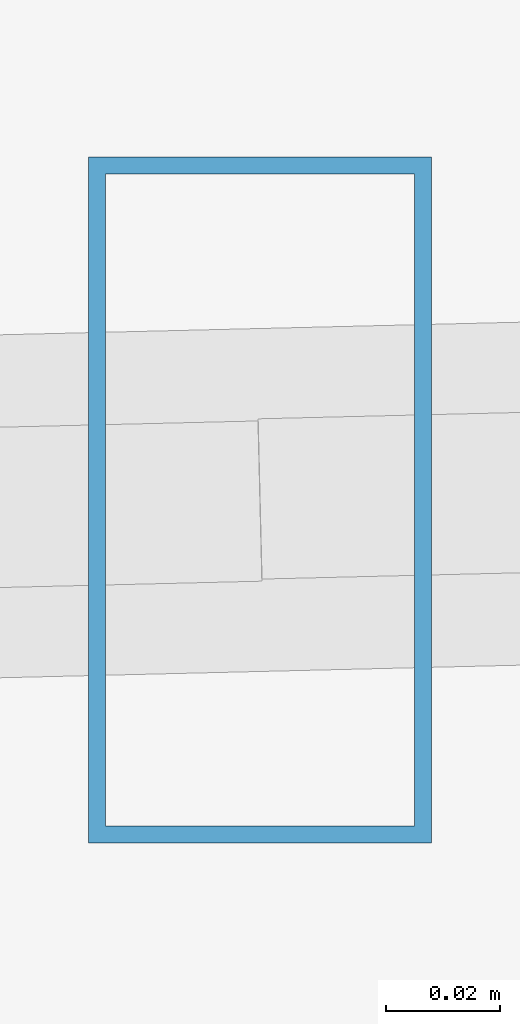
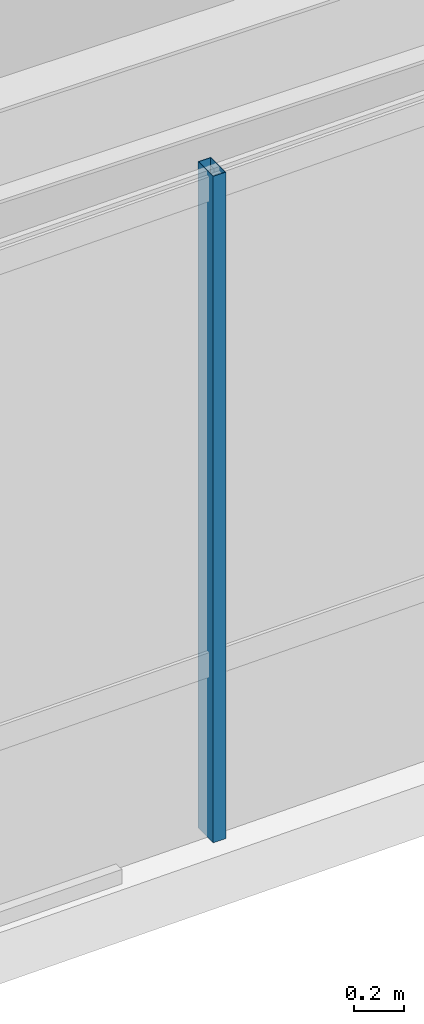
# One storey, part 21 of 44: 1 member, 1 element without a shape of its own.
"""IFC4 building model written with IfcOpenShell, lengths in metres."""

from ifc_helpers import new_model, si_unit, direction, frame, origin, origin_2d, place, context, subcontext, project, spatial, hollow_rectangle, extrude, source, transform, mapped, material, material_profile, profile_set, type_object, type_shapes, element, aggregate, save


model = new_model("IFC4")

# Units and contexts
model_context = context("Model", 3, precision=1e-05, world=origin(), true_north=direction((0.0, 1.0)))
body_context = subcontext(model_context, "Body", "Model", "MODEL_VIEW")
ifc_project = project(units=[si_unit("LENGTHUNIT", "METRE"), si_unit("AREAUNIT", "SQUARE_METRE"), si_unit("VOLUMEUNIT", "CUBIC_METRE"), si_unit("PLANEANGLEUNIT", "RADIAN"), si_unit("MASSUNIT", "GRAM", prefix="KILO")], contexts=[model_context])

# Site, building, storey
site_placement = place(None, origin())
site = spatial("IfcSite", under=ifc_project, at=site_placement, CompositionType="ELEMENT")
building_placement = place(site_placement, origin())
building = spatial("IfcBuilding", under=site, at=building_placement, Name="Caelisora Broadcast Tower", CompositionType="ELEMENT")
storey_placement = place(building_placement, frame((0.0, 0.0, 280.949951171875)))
storey = spatial("IfcBuildingStorey", under=building, at=storey_placement, Name="L74", CompositionType="ELEMENT", Elevation=280.949951171875)

# Curtain wall, member
ifc_material_1 = material(Name="Unitised Aluminium and Low-E Glass Curtain Wall", Category="glass")
curtain_wall_type = type_object("IfcCurtainWallType", Name="CW-Z5", PredefinedType="NOTDEFINED", material=ifc_material_1)
curtain_wall_placement = place(storey_placement, origin())
curtain_wall = element("IfcCurtainWall", 1, at=curtain_wall_placement, inside=storey, type_object=curtain_wall_type, Name="L74 curtain wall CW-Z5", PredefinedType="NOTDEFINED")
ifc_material_2 = material(Name="Aluminium 6063-T6 Anodised Terracotta Bronze", Category="aluminium")
ifc_material_profile = material_profile(ifc_material_2, hollow_rectangle(XDim=0.06005859375, YDim=0.1201171875, WallThickness=0.0029296875, at=origin_2d()), Name="Aluminium 6063-T6 Anodised Terracotta Bronze")
ifc_profile_set = profile_set([ifc_material_profile], Name="Aluminium 6063-T6 Anodised Terracotta Bronze")
member_type = type_object("IfcMemberType", Name="CWM-04", PredefinedType="MULLION", material=ifc_profile_set)
shared_shape = source(origin(), body_context, "Body", "SweptSolid", [
    extrude(hollow_rectangle(XDim=0.06005859375, YDim=0.1201171875, WallThickness=0.0029296875, at=origin_2d()), origin(), (0.0, 0.0, 1.0), 3.25),
])
type_shapes(member_type, [shared_shape])
member_placement = place(storey_placement, frame((49.778564453125, 9.025390625, 0.0), z_axis=(0.0, 0.0, 1.0), x_axis=(1.0, 0.0, 0.0)))
member = element("IfcMember", 2, at=member_placement, type_object=member_type, Name="L74-CW-B05 mullion #2", PredefinedType="MULLION", context=body_context, shape_type="MappedRepresentation", body=[
    mapped(shared_shape, transform((0.0, 0.0, 0.0), scale=1.0)),
])
aggregate(curtain_wall, [member])

save(model, "model.ifc")
